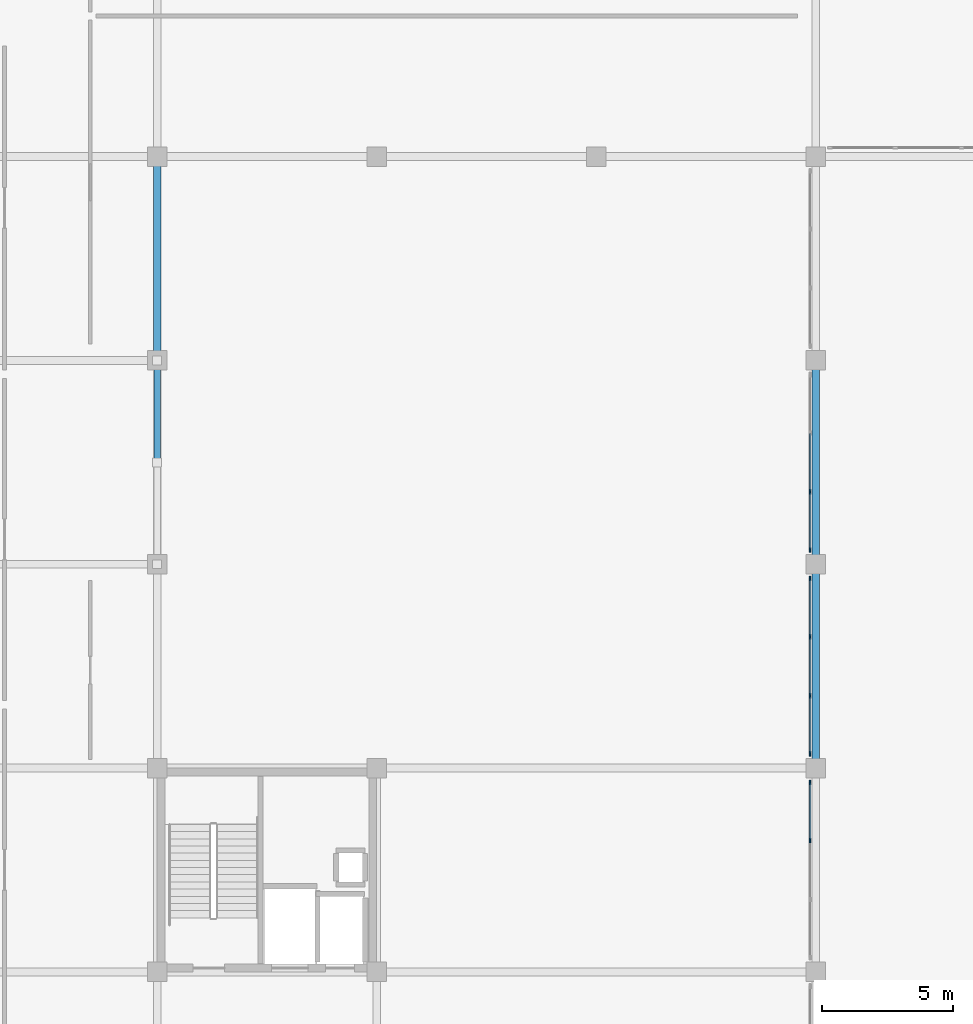
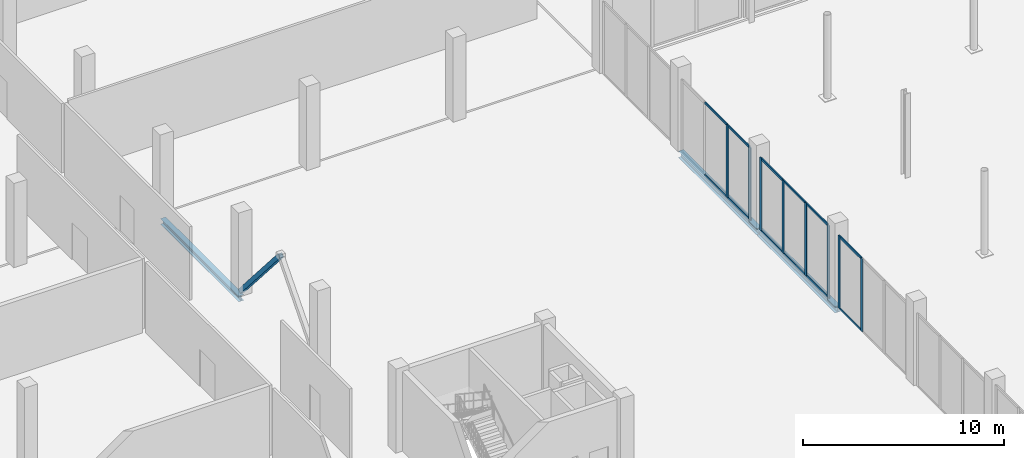
# One storey, part 27 of 80: 21 members, 3 beams, 3 elements without a shape of their own.
"""IFC4 building model written with IfcOpenShell, lengths in metres."""

import ifcopenshell
import ifcopenshell.guid

model = None  # the IFC model being written
_history = None  # IfcOwnerHistory: only IFC2X3 demands one
_inside = {}  # id of a spatial element -> (the spatial element, [elements in it])
_under = {}  # id of a project, library or spatial element -> (it, [spatial elements below it])
_declared = {}  # id of a project -> (the project, [libraries it declares])
_typed = {}  # id of a type object -> (the type object, [elements of that type])
_made_of = {}  # id of a material, layer set ... -> (it, [elements and type objects made of it])


def new_model(schema):
    """Start an empty IFC model of exactly this schema.

    Asked for "IFC4X3", IfcOpenShell would pick the latest addendum, in which some entities
    have other attributes; the version numbers below select the first issue.
    IFC2X3 requires an IfcOwnerHistory on every rooted entity: one is made here for all.
    """
    global model, _history
    if schema == "IFC4X3":
        model = ifcopenshell.file(schema_version=(4, 3, 0, 0))
    else:
        model = ifcopenshell.file(schema=schema)
    _inside.clear()
    _under.clear()
    _declared.clear()
    _typed.clear()
    _made_of.clear()
    _history = None
    if model.schema == "IFC2X3":
        org = make("IfcOrganization", Name="unknown")
        user = make(
            "IfcPersonAndOrganization",
            ThePerson=make("IfcPerson", FamilyName="unknown"),
            TheOrganization=org,
        )
        app = make(
            "IfcApplication",
            ApplicationDeveloper=org,
            Version="unknown",
            ApplicationFullName="unknown",
            ApplicationIdentifier="unknown",
        )
        _history = make(
            "IfcOwnerHistory",
            OwningUser=user,
            OwningApplication=app,
            ChangeAction="ADDED",
            CreationDate=0,
        )
    return model


def make(cls, **values):
    """One entity of the class cls with the attributes given. An attribute that is None is left unset."""
    return model.create_entity(
        cls, **{name: value for name, value in values.items() if value is not None}
    )


def rooted(cls, **values):
    """An entity with a GlobalId (a new one), such as an element, a storey or a relation."""
    return make(cls, GlobalId=ifcopenshell.guid.new(), OwnerHistory=_history, **values)


def si_unit(unit_type, name, prefix=None):
    """IfcSIUnit, for example si_unit("LENGTHUNIT", "METRE", prefix="MILLI")."""
    return make("IfcSIUnit", UnitType=unit_type, Prefix=prefix, Name=name)


def assignment(units):
    """IfcUnitAssignment: the units of a project."""
    return None if units is None else make("IfcUnitAssignment", Units=units)


def point(xyz):
    """IfcCartesianPoint."""
    return None if xyz is None else make("IfcCartesianPoint", Coordinates=xyz)


def direction(xyz):
    """IfcDirection."""
    return None if xyz is None else make("IfcDirection", DirectionRatios=xyz)


def frame(location, z_axis=None, x_axis=None):
    """IfcAxis2Placement3D, a coordinate frame: its origin and axes. An axis left out is left unset."""
    return make(
        "IfcAxis2Placement3D",
        Location=point(location),
        Axis=direction(z_axis),
        RefDirection=direction(x_axis),
    )


def frame_2d(location, x_axis=None):
    """IfcAxis2Placement2D, a coordinate frame in the plane: its origin and x axis."""
    return make(
        "IfcAxis2Placement2D", Location=point(location), RefDirection=direction(x_axis)
    )


def origin():
    """The frame at (0, 0, 0) with its axes left unset."""
    return frame((0.0, 0.0, 0.0))


def origin_2d():
    """The frame at (0, 0) in the plane with its x axis left unset."""
    return frame_2d((0.0, 0.0))


def place(relative_to, where):
    """IfcLocalPlacement: puts the frame where relative to a parent placement (None: the world)."""
    return make(
        "IfcLocalPlacement", PlacementRelTo=relative_to, RelativePlacement=where
    )


def context(
    kind, dimensions, precision=None, world=None, true_north=None, identifier=None
):
    """IfcGeometricRepresentationContext, for example the 3D "Model" context."""
    return make(
        "IfcGeometricRepresentationContext",
        ContextIdentifier=identifier,
        ContextType=kind,
        CoordinateSpaceDimension=dimensions,
        Precision=precision,
        WorldCoordinateSystem=world,
        TrueNorth=true_north,
    )


def subcontext(parent, identifier, kind, view, scale=None):
    """IfcGeometricRepresentationSubContext, for example "Body" below "Model"."""
    return make(
        "IfcGeometricRepresentationSubContext",
        ContextIdentifier=identifier,
        ContextType=kind,
        ParentContext=parent,
        TargetScale=scale,
        TargetView=view,
    )


def project(units=None, contexts=None):
    """IfcProject with its units and contexts."""
    return rooted(
        "IfcProject",
        Name="project",
        RepresentationContexts=contexts,
        UnitsInContext=assignment(units),
    )


def spatial(cls, under=None, at=None, **own):
    """A site, building, storey or space (cls), placed at a placement, below another one or the project."""
    s = rooted(cls, ObjectPlacement=at, **own)
    if under is not None:
        _under.setdefault(under.id(), (under, []))[1].append(s)
    return s


def profile(cls, at=None, kind="AREA", **sizes):
    """A parametric profile (cls). Its sizes go by their IFC names, for example OverallWidth=200.0."""
    return make(cls, ProfileType=kind, Position=at, **sizes)


def rectangle(**sizes):
    """IfcRectangleProfileDef."""
    return profile("IfcRectangleProfileDef", **sizes)


def hollow_rectangle(**sizes):
    """IfcRectangleHollowProfileDef."""
    return profile("IfcRectangleHollowProfileDef", **sizes)


def i_section(**sizes):
    """IfcIShapeProfileDef."""
    return profile("IfcIShapeProfileDef", **sizes)


def extrude(swept, where, along, depth):
    """IfcExtrudedAreaSolid: the profile swept, set in the frame where, extruded along a direction by depth."""
    return make(
        "IfcExtrudedAreaSolid",
        SweptArea=swept,
        Position=where,
        ExtrudedDirection=direction(along),
        Depth=depth,
    )


def shape(context_of_items, identifier, shape_type, items):
    """IfcShapeRepresentation: the items that make up one representation, for example the "Body"."""
    return make(
        "IfcShapeRepresentation",
        ContextOfItems=context_of_items,
        RepresentationIdentifier=identifier,
        RepresentationType=shape_type,
        Items=items,
    )


def material(Name=None, Category=None):
    """IfcMaterial."""
    return make("IfcMaterial", Name=Name, Category=Category)


def material_profile(
    of_material, cross_section, Name=None, Category=None, Priority=None
):
    """IfcMaterialProfile: a cross section and its material."""
    return make(
        "IfcMaterialProfile",
        Name=Name,
        Material=of_material,
        Profile=cross_section,
        Priority=Priority,
        Category=Category,
    )


def profile_set(profiles, Name=None, composite=None):
    """IfcMaterialProfileSet."""
    return make(
        "IfcMaterialProfileSet",
        Name=Name,
        MaterialProfiles=profiles,
        CompositeProfile=composite,
    )


def made_of(thing, what):
    """Note that an element or type object is made of a material, layer set ...; save() writes the relation."""
    if what is not None:
        _made_of.setdefault(what.id(), (what, []))[1].append(thing)
    return thing


def type_object(cls, material=None, **own):
    """A type object (cls), such as IfcWallType, which elements share."""
    return made_of(rooted(cls, **own), material)


def element(
    cls,
    number,
    at=None,
    inside=None,
    cuts=None,
    type_object=None,
    material=None,
    context=None,
    identifier="Body",
    shape_type=None,
    held_by="IfcProductDefinitionShape",
    body=None,
    shapes=None,
    **own,
):
    """One element of the class cls, such as IfcWall. Its Tag is "e" and its number.

    at: its placement. inside: the storey or other place that contains it. cuts: it is an
    opening in that element (IfcRelVoidsElement). A single representation is given by context,
    identifier, shape_type and body (its items); several are given by shapes. held_by: the class
    of the entity that holds the representations. save() writes the other relations.
    """
    e = rooted(cls, Tag="e%d" % number, ObjectPlacement=at, **own)
    if body is not None:
        shapes = [shape(context, identifier, shape_type, body)]
    if shapes is not None:
        e.Representation = make(held_by, Representations=shapes)
    if inside is not None:
        _inside.setdefault(inside.id(), (inside, []))[1].append(e)
    if cuts is not None:
        rooted(
            "IfcRelVoidsElement", RelatingBuildingElement=cuts, RelatedOpeningElement=e
        )
    if type_object is not None:
        _typed.setdefault(type_object.id(), (type_object, []))[1].append(e)
    return made_of(e, material)


def aggregate(whole, parts):
    """IfcRelAggregates: a whole, such as a stair, and the parts it consists of."""
    return rooted("IfcRelAggregates", RelatingObject=whole, RelatedObjects=parts)


def save(model, path):
    """Write the relations noted so far, then the file.

    IfcRelAggregates (storeys below a building ...), IfcRelContainedInSpatialStructure (elements
    in a storey), IfcRelDefinesByType, IfcRelAssociatesMaterial and IfcRelDeclares: one each for
    every whole, place, type object, material and project.
    """
    for whole, parts in _under.values():
        aggregate(whole, parts)
    for where, things in _inside.values():
        rooted(
            "IfcRelContainedInSpatialStructure",
            RelatedElements=things,
            RelatingStructure=where,
        )
    for kind, things in _typed.values():
        rooted("IfcRelDefinesByType", RelatedObjects=things, RelatingType=kind)
    for what, things in _made_of.values():
        rooted("IfcRelAssociatesMaterial", RelatedObjects=things, RelatingMaterial=what)
    for by, libraries in _declared.values():
        rooted("IfcRelDeclares", RelatingContext=by, RelatedDefinitions=libraries)
    model.write(path)


model = new_model("IFC4")

# Units and contexts
model_context = context("Model", 3, precision=1e-05, world=origin(), true_north=direction((0.0, 1.0)))
body_context = subcontext(model_context, "Body", "Model", "MODEL_VIEW")
ifc_project = project(units=[si_unit("LENGTHUNIT", "METRE"), si_unit("AREAUNIT", "SQUARE_METRE"), si_unit("VOLUMEUNIT", "CUBIC_METRE"), si_unit("PLANEANGLEUNIT", "RADIAN"), si_unit("MASSUNIT", "GRAM", prefix="KILO")], contexts=[model_context])

# Site, building, storey
site_placement = place(None, origin())
site = spatial("IfcSite", under=ifc_project, at=site_placement, CompositionType="ELEMENT")
building_placement = place(site_placement, origin())
building = spatial("IfcBuilding", under=site, at=building_placement, Name="Nabrawat Pavilion Hospital", CompositionType="ELEMENT")
storey_placement = place(building_placement, origin())
storey = spatial("IfcBuildingStorey", under=building, at=storey_placement, Name="L00", CompositionType="ELEMENT", Elevation=0.0)

# Curtain wall, members
ifc_material_1 = material(Name="Anodised Aluminium", Category="aluminium")
curtain_wall_type = type_object("IfcCurtainWallType", Name="Healing Garden Cloister Curtain Wall", PredefinedType="USERDEFINED", material=ifc_material_1)
curtain_wall_1_placement = place(storey_placement, origin())
curtain_wall_1 = element("IfcCurtainWall", 1, at=curtain_wall_1_placement, inside=storey, type_object=curtain_wall_type, Name="L00 Healing Garden Cloister Curtain Wall 003", ObjectType="CURTAIN WALL", PredefinedType="USERDEFINED")
ifc_material_profile_1 = material_profile(ifc_material_1, rectangle(XDim=0.06494140625, YDim=0.179931640625, at=origin_2d()), Name="CWM 65x180")
ifc_profile_set_1 = profile_set([ifc_material_profile_1], Name="Anodised Aluminium")
member_type_1 = type_object("IfcMemberType", Name="Healing Garden Cloister Curtain Wall Mullion CWM 65x180", PredefinedType="MULLION", material=ifc_profile_set_1)
member_1_placement = place(storey_placement, frame((58.580078125, 59.62841796875, 0.0), z_axis=(0.0, 0.0, 1.0), x_axis=(-1.0, 0.0, 0.0)))
member_1 = element("IfcMember", 2, at=member_1_placement, type_object=member_type_1, Name="CW-CLN-01 mullion 3", PredefinedType="MULLION", context=body_context, shape_type="SweptSolid", body=[
    extrude(rectangle(XDim=0.06494140625, YDim=0.179931640625, at=origin_2d()), origin(), (0.0, 0.0, 1.0), 4.419921875),
])
member_2_placement = place(storey_placement, frame((58.580078125, 61.8525390625, 0.0), z_axis=(0.0, 0.0, 1.0), x_axis=(-1.0, 0.0, 0.0)))
member_2 = element("IfcMember", 3, at=member_2_placement, type_object=member_type_1, Name="CW-CLN-01 mullion 4", PredefinedType="MULLION", context=body_context, shape_type="SweptSolid", body=[
    extrude(rectangle(XDim=0.06494140625, YDim=0.179931640625, at=origin_2d()), origin(), (0.0, 0.0, 1.0), 4.419921875),
])

curtain_wall_2_placement = place(storey_placement, origin())
curtain_wall_2 = element("IfcCurtainWall", 4, at=curtain_wall_2_placement, inside=storey, type_object=curtain_wall_type, Name="L00 Healing Garden Cloister Curtain Wall 004", ObjectType="CURTAIN WALL", PredefinedType="USERDEFINED")
member_3_placement = place(storey_placement, frame((58.580078125, 62.947509765625, 0.0), z_axis=(0.0, 0.0, 1.0), x_axis=(-1.0, 0.0, 0.0)))
member_3 = element("IfcMember", 5, at=member_3_placement, type_object=member_type_1, Name="CW-CLN-01 mullion 1", PredefinedType="MULLION", context=body_context, shape_type="SweptSolid", body=[
    extrude(rectangle(XDim=0.06494140625, YDim=0.179931640625, at=origin_2d()), origin(), (0.0, 0.0, 1.0), 4.419921875),
])
member_4_placement = place(storey_placement, frame((58.580078125, 65.171630859375, 0.0), z_axis=(0.0, 0.0, 1.0), x_axis=(-1.0, 0.0, 0.0)))
member_4 = element("IfcMember", 6, at=member_4_placement, type_object=member_type_1, Name="CW-CLN-01 mullion 2", PredefinedType="MULLION", context=body_context, shape_type="SweptSolid", body=[
    extrude(rectangle(XDim=0.06494140625, YDim=0.179931640625, at=origin_2d()), origin(), (0.0, 0.0, 1.0), 4.419921875),
])
member_5_placement = place(storey_placement, frame((58.580078125, 67.42822265625, 0.0), z_axis=(0.0, 0.0, 1.0), x_axis=(-1.0, 0.0, 0.0)))
member_5 = element("IfcMember", 7, at=member_5_placement, type_object=member_type_1, Name="CW-CLN-01 mullion 3", PredefinedType="MULLION", context=body_context, shape_type="SweptSolid", body=[
    extrude(rectangle(XDim=0.06494140625, YDim=0.179931640625, at=origin_2d()), origin(), (0.0, 0.0, 1.0), 4.419921875),
])
member_6_placement = place(storey_placement, frame((58.580078125, 69.652587890625, 0.0), z_axis=(0.0, 0.0, 1.0), x_axis=(-1.0, 0.0, 0.0)))
member_6 = element("IfcMember", 8, at=member_6_placement, type_object=member_type_1, Name="CW-CLN-01 mullion 4", PredefinedType="MULLION", context=body_context, shape_type="SweptSolid", body=[
    extrude(rectangle(XDim=0.06494140625, YDim=0.179931640625, at=origin_2d()), origin(), (0.0, 0.0, 1.0), 4.419921875),
])

curtain_wall_3_placement = place(storey_placement, origin())
curtain_wall_3 = element("IfcCurtainWall", 9, at=curtain_wall_3_placement, inside=storey, type_object=curtain_wall_type, Name="L00 Healing Garden Cloister Curtain Wall 005", ObjectType="CURTAIN WALL", PredefinedType="USERDEFINED")
member_7_placement = place(storey_placement, frame((58.580078125, 70.74755859375, 0.0), z_axis=(0.0, 0.0, 1.0), x_axis=(-1.0, 0.0, 0.0)))
member_7 = element("IfcMember", 10, at=member_7_placement, type_object=member_type_1, Name="CW-CLN-01 mullion 1", PredefinedType="MULLION", context=body_context, shape_type="SweptSolid", body=[
    extrude(rectangle(XDim=0.06494140625, YDim=0.179931640625, at=origin_2d()), origin(), (0.0, 0.0, 1.0), 4.419921875),
])
member_8_placement = place(storey_placement, frame((58.580078125, 72.9716796875, 0.0), z_axis=(0.0, 0.0, 1.0), x_axis=(-1.0, 0.0, 0.0)))
member_8 = element("IfcMember", 11, at=member_8_placement, type_object=member_type_1, Name="CW-CLN-01 mullion 2", PredefinedType="MULLION", context=body_context, shape_type="SweptSolid", body=[
    extrude(rectangle(XDim=0.06494140625, YDim=0.179931640625, at=origin_2d()), origin(), (0.0, 0.0, 1.0), 4.419921875),
])

# Member
ifc_material_profile_2 = material_profile(ifc_material_1, rectangle(XDim=0.06494140625, YDim=0.135009765625, at=origin_2d()), Name="CWT 65x135")
ifc_profile_set_2 = profile_set([ifc_material_profile_2], Name="Anodised Aluminium")
member_type_2 = type_object("IfcMemberType", Name="Healing Garden Cloister Curtain Wall Transom CWT 65x135", PredefinedType="USERDEFINED", material=ifc_profile_set_2)
member_9_placement = place(storey_placement, frame((58.580078125, 59.660888671875, 0.032470703125), z_axis=(0.0, 1.0, 0.0), x_axis=(-1.0, 0.0, 0.0)))
member_9 = element("IfcMember", 12, at=member_9_placement, type_object=member_type_2, Name="CW-CLN-01 transom 3.1", ObjectType="TRANSOM", PredefinedType="USERDEFINED", context=body_context, shape_type="SweptSolid", body=[
    extrude(rectangle(XDim=0.06494140625, YDim=0.135009765625, at=origin_2d()), origin(), (0.0, 0.0, 1.0), 2.1591796875),
])

member_10_placement = place(storey_placement, frame((58.580078125, 59.660888671875, 4.387451171875), z_axis=(0.0, 1.0, 0.0), x_axis=(-1.0, 0.0, 0.0)))
member_10 = element("IfcMember", 13, at=member_10_placement, type_object=member_type_2, Name="CW-CLN-01 transom 3.2", ObjectType="TRANSOM", PredefinedType="USERDEFINED", context=body_context, shape_type="SweptSolid", body=[
    extrude(rectangle(XDim=0.06494140625, YDim=0.135009765625, at=origin_2d()), origin(), (0.0, 0.0, 1.0), 2.1591796875),
])

aggregate(curtain_wall_1, [member_1, member_2, member_9, member_10])

member_11_placement = place(storey_placement, frame((58.580078125, 62.97998046875, 0.032470703125), z_axis=(0.0, 1.0, 0.0), x_axis=(-1.0, 0.0, 0.0)))
member_11 = element("IfcMember", 14, at=member_11_placement, type_object=member_type_2, Name="CW-CLN-01 transom 1.1", ObjectType="TRANSOM", PredefinedType="USERDEFINED", context=body_context, shape_type="SweptSolid", body=[
    extrude(rectangle(XDim=0.06494140625, YDim=0.135009765625, at=origin_2d()), origin(), (0.0, 0.0, 1.0), 2.1591796875),
])

member_12_placement = place(storey_placement, frame((58.580078125, 62.97998046875, 4.387451171875), z_axis=(0.0, 1.0, 0.0), x_axis=(-1.0, 0.0, 0.0)))
member_12 = element("IfcMember", 15, at=member_12_placement, type_object=member_type_2, Name="CW-CLN-01 transom 1.2", ObjectType="TRANSOM", PredefinedType="USERDEFINED", context=body_context, shape_type="SweptSolid", body=[
    extrude(rectangle(XDim=0.06494140625, YDim=0.135009765625, at=origin_2d()), origin(), (0.0, 0.0, 1.0), 2.1591796875),
])

member_13_placement = place(storey_placement, frame((58.580078125, 65.2041015625, 0.032470703125), z_axis=(0.0, 1.0, 0.0), x_axis=(-1.0, 0.0, 0.0)))
member_13 = element("IfcMember", 16, at=member_13_placement, type_object=member_type_2, Name="CW-CLN-01 transom 2.1", ObjectType="TRANSOM", PredefinedType="USERDEFINED", context=body_context, shape_type="SweptSolid", body=[
    extrude(rectangle(XDim=0.06494140625, YDim=0.135009765625, at=origin_2d()), origin(), (0.0, 0.0, 1.0), 2.191650390625),
])

member_14_placement = place(storey_placement, frame((58.580078125, 65.2041015625, 4.387451171875), z_axis=(0.0, 1.0, 0.0), x_axis=(-1.0, 0.0, 0.0)))
member_14 = element("IfcMember", 17, at=member_14_placement, type_object=member_type_2, Name="CW-CLN-01 transom 2.2", ObjectType="TRANSOM", PredefinedType="USERDEFINED", context=body_context, shape_type="SweptSolid", body=[
    extrude(rectangle(XDim=0.06494140625, YDim=0.135009765625, at=origin_2d()), origin(), (0.0, 0.0, 1.0), 2.191650390625),
])

member_15_placement = place(storey_placement, frame((58.580078125, 67.4609375, 0.032470703125), z_axis=(0.0, 1.0, 0.0), x_axis=(-1.0, 0.0, 0.0)))
member_15 = element("IfcMember", 18, at=member_15_placement, type_object=member_type_2, Name="CW-CLN-01 transom 3.1", ObjectType="TRANSOM", PredefinedType="USERDEFINED", context=body_context, shape_type="SweptSolid", body=[
    extrude(rectangle(XDim=0.06494140625, YDim=0.135009765625, at=origin_2d()), origin(), (0.0, 0.0, 1.0), 2.1591796875),
])

member_16_placement = place(storey_placement, frame((58.580078125, 67.4609375, 4.387451171875), z_axis=(0.0, 1.0, 0.0), x_axis=(-1.0, 0.0, 0.0)))
member_16 = element("IfcMember", 19, at=member_16_placement, type_object=member_type_2, Name="CW-CLN-01 transom 3.2", ObjectType="TRANSOM", PredefinedType="USERDEFINED", context=body_context, shape_type="SweptSolid", body=[
    extrude(rectangle(XDim=0.06494140625, YDim=0.135009765625, at=origin_2d()), origin(), (0.0, 0.0, 1.0), 2.1591796875),
])

aggregate(curtain_wall_2, [member_3, member_4, member_5, member_6, member_11, member_12, member_13, member_14, member_15, member_16])

member_17_placement = place(storey_placement, frame((58.580078125, 70.780029296875, 0.032470703125), z_axis=(0.0, 1.0, 0.0), x_axis=(-1.0, 0.0, 0.0)))
member_17 = element("IfcMember", 20, at=member_17_placement, type_object=member_type_2, Name="CW-CLN-01 transom 1.1", ObjectType="TRANSOM", PredefinedType="USERDEFINED", context=body_context, shape_type="SweptSolid", body=[
    extrude(rectangle(XDim=0.06494140625, YDim=0.135009765625, at=origin_2d()), origin(), (0.0, 0.0, 1.0), 2.1591796875),
])

member_18_placement = place(storey_placement, frame((58.580078125, 70.780029296875, 4.387451171875), z_axis=(0.0, 1.0, 0.0), x_axis=(-1.0, 0.0, 0.0)))
member_18 = element("IfcMember", 21, at=member_18_placement, type_object=member_type_2, Name="CW-CLN-01 transom 1.2", ObjectType="TRANSOM", PredefinedType="USERDEFINED", context=body_context, shape_type="SweptSolid", body=[
    extrude(rectangle(XDim=0.06494140625, YDim=0.135009765625, at=origin_2d()), origin(), (0.0, 0.0, 1.0), 2.1591796875),
])

member_19_placement = place(storey_placement, frame((58.580078125, 73.004150390625, 0.032470703125), z_axis=(0.0, 1.0, 0.0), x_axis=(-1.0, 0.0, 0.0)))
member_19 = element("IfcMember", 22, at=member_19_placement, type_object=member_type_2, Name="CW-CLN-01 transom 2.1", ObjectType="TRANSOM", PredefinedType="USERDEFINED", context=body_context, shape_type="SweptSolid", body=[
    extrude(rectangle(XDim=0.06494140625, YDim=0.135009765625, at=origin_2d()), origin(), (0.0, 0.0, 1.0), 2.191650390625),
])

member_20_placement = place(storey_placement, frame((58.580078125, 73.004150390625, 4.387451171875), z_axis=(0.0, 1.0, 0.0), x_axis=(-1.0, 0.0, 0.0)))
member_20 = element("IfcMember", 23, at=member_20_placement, type_object=member_type_2, Name="CW-CLN-01 transom 2.2", ObjectType="TRANSOM", PredefinedType="USERDEFINED", context=body_context, shape_type="SweptSolid", body=[
    extrude(rectangle(XDim=0.06494140625, YDim=0.135009765625, at=origin_2d()), origin(), (0.0, 0.0, 1.0), 2.191650390625),
])

aggregate(curtain_wall_3, [member_7, member_8, member_17, member_18, member_19, member_20])

ifc_material_2 = material(Name="Steel S355", Category="steel")
ifc_material_profile_3 = material_profile(ifc_material_2, hollow_rectangle(XDim=0.25, YDim=0.25, WallThickness=0.012451171875, at=origin_2d()), Name="SHS 250x250x12.5")
ifc_profile_set_3 = profile_set([ifc_material_profile_3], Name="Steel S355")
member_type_3 = type_object("IfcMemberType", Name="Lower Seismic Chevron Brace SHS 250x250x12.5", PredefinedType="BRACE", material=ifc_profile_set_3)
member_21_placement = place(storey_placement, frame((33.60009765625, 78.0, 0.050048828125), z_axis=(0.0, -0.654921173069, 0.755697199324), x_axis=(1.0, 0.0, 0.0)))
element("IfcMember", 24, at=member_21_placement, inside=storey, type_object=member_type_3, Name="L00 Seismic Concentric Chevron Brace 028", PredefinedType="BRACE", context=body_context, shape_type="SweptSolid", body=[
    extrude(hollow_rectangle(XDim=0.25, YDim=0.25, WallThickness=0.012451171875, at=origin_2d()), origin(), (0.0, 0.0, 1.0), 5.954833984375),
])

# Beams
ifc_material_profile_4 = material_profile(ifc_material_2, i_section(OverallWidth=0.300048828125, OverallDepth=0.389892578125, WebThickness=0.010986328125, FlangeThickness=0.01904296875, FilletRadius=0.027099609375, at=origin_2d()), Name="HEA 400")
ifc_profile_set_4 = profile_set([ifc_material_profile_4], Name="Steel S355")
beam_type_1 = type_object("IfcBeamType", Name="Perimeter Moment Spandrel Beam HEA 400", PredefinedType="SPANDREL", material=ifc_profile_set_4)
for number, where, z_axis, x_axis, name in (
    (25, (58.800048828125, 62.419921875, -0.445068359375), (0.0, 1.0, 0.0), (-1.0, 0.0, 0.0), "L00 Primary Y Beam 292"),
    (26, (58.800048828125, 70.219970703125, -0.445068359375), (0.0, 1.0, 0.0), (-1.0, 0.0, 0.0), "L00 Primary Y Beam 293"),
):
    element("IfcBeam", number, at=place(storey_placement, frame(where, z_axis=z_axis, x_axis=x_axis)), inside=storey, type_object=beam_type_1, Name=name, PredefinedType="SPANDREL", context=body_context, shape_type="SweptSolid", body=[
        extrude(i_section(OverallWidth=0.300048828125, OverallDepth=0.389892578125, WebThickness=0.010986328125, FlangeThickness=0.01904296875, FilletRadius=0.027099609375, at=origin_2d()), origin(), (0.0, 0.0, 1.0), 7.760009765625),
    ])
ifc_material_profile_5 = material_profile(ifc_material_2, i_section(OverallWidth=0.300048828125, OverallDepth=0.35009765625, WebThickness=0.009521484375, FlangeThickness=0.017578125, FilletRadius=0.027099609375, at=origin_2d()), Name="HEA 360")
ifc_profile_set_5 = profile_set([ifc_material_profile_5], Name="Steel S355")
beam_type_2 = type_object("IfcBeamType", Name="Surgical Stiffened Beam HEA 360", PredefinedType="BEAM", material=ifc_profile_set_5)
beam_placement = place(storey_placement, frame((33.60009765625, 78.02001953125, -0.425048828125), z_axis=(0.0, 1.0, 0.0), x_axis=(-1.0, 0.0, 0.0)))
element("IfcBeam", 27, at=beam_placement, inside=storey, type_object=beam_type_2, Name="L00 Primary Y Beam 282", PredefinedType="BEAM", context=body_context, shape_type="SweptSolid", body=[
    extrude(i_section(OverallWidth=0.300048828125, OverallDepth=0.35009765625, WebThickness=0.009521484375, FlangeThickness=0.017578125, FilletRadius=0.027099609375, at=origin_2d()), origin(), (0.0, 0.0, 1.0), 7.760009765625),
])

save(model, "model.ifc")
